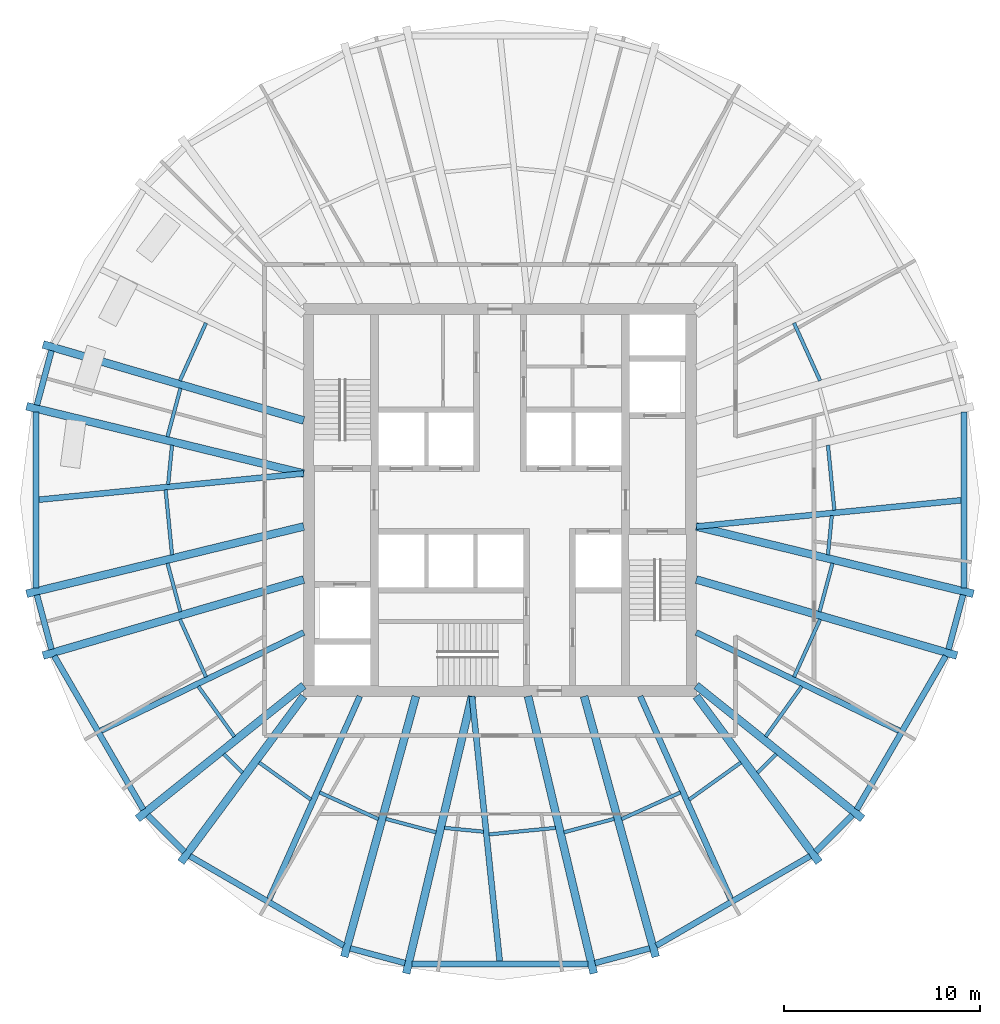
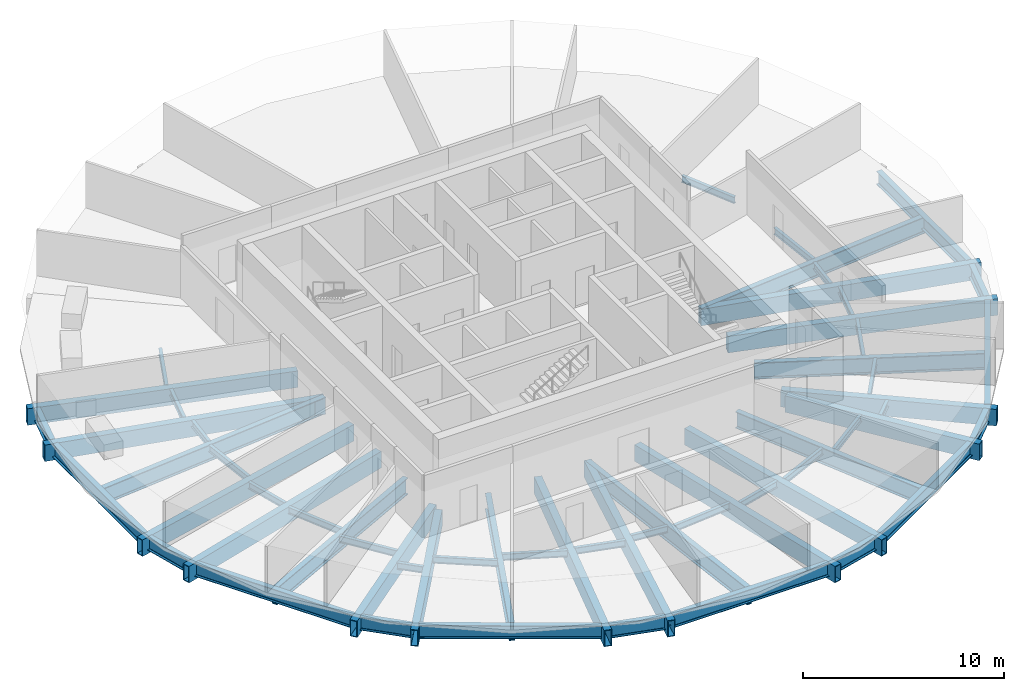
# One storey, part 1 of 7: 58 beams.
"""IFC4 building model written with IfcOpenShell, lengths in metres."""

from ifc_helpers import new_model, si_unit, direction, frame, origin, origin_2d, place, context, subcontext, project, spatial, hollow_rectangle, i_section, extrude, material, material_profile, profile_set, type_object, element, save


model = new_model("IFC4")

# Units and contexts
model_context = context("Model", 3, precision=1e-05, world=origin(), true_north=direction((0.0, 1.0)))
body_context = subcontext(model_context, "Body", "Model", "MODEL_VIEW")
ifc_project = project(units=[si_unit("LENGTHUNIT", "METRE"), si_unit("AREAUNIT", "SQUARE_METRE"), si_unit("VOLUMEUNIT", "CUBIC_METRE"), si_unit("PLANEANGLEUNIT", "RADIAN"), si_unit("MASSUNIT", "GRAM", prefix="KILO")], contexts=[model_context])

# Site, building, storey
site_placement = place(None, origin())
site = spatial("IfcSite", under=ifc_project, at=site_placement, CompositionType="ELEMENT")
building_placement = place(site_placement, origin())
building = spatial("IfcBuilding", under=site, at=building_placement, Name="Golbaran Civic Tower", CompositionType="ELEMENT")
storey_placement = place(building_placement, frame((0.0, 0.0, 130.0)))
storey = spatial("IfcBuildingStorey", under=building, at=storey_placement, Name="L31", CompositionType="ELEMENT", Elevation=130.0)

# Beams
ifc_material = material(Name="Steel S355", Category="steel")
ifc_material_profile_1 = material_profile(ifc_material, i_section(OverallWidth=0.300048828125, OverallDepth=0.800048828125, WebThickness=0.017578125, FlangeThickness=0.032958984375, FilletRadius=0.030029296875, at=origin_2d()), Name="HEB 800")
ifc_profile_set_1 = profile_set([ifc_material_profile_1], Name="Steel S355")
beam_type_1 = type_object("IfcBeamType", Name="EDGE BEAM HEB 800", PredefinedType="BEAM", material=ifc_profile_set_1)
beam_1_placement = place(storey_placement, frame((-22.84814453125, 7.611572265625, -0.60009765625), z_axis=(-0.258861981472, -0.965914320501, 0.0), x_axis=(0.965914320501, -0.258861981472, 0.0)))
element("IfcBeam", 1, at=beam_1_placement, inside=storey, type_object=beam_type_1, Name="Edge beam 161.26 L31", PredefinedType="BEAM", context=body_context, shape_type="SweptSolid", body=[
    extrude(i_section(OverallWidth=0.300048828125, OverallDepth=0.800048828125, WebThickness=0.017578125, FlangeThickness=0.032958984375, FilletRadius=0.030029296875, at=origin_2d()), origin(), (0.0, 0.0, 1.0), 2.87548828125),
])
beam_2_placement = place(storey_placement, frame((-23.63916015625, 4.474853515625, -0.60009765625), z_axis=(0.0, -1.0, 0.0), x_axis=(1.0, 0.0, 0.0)))
element("IfcBeam", 2, at=beam_2_placement, inside=storey, type_object=beam_type_1, Name="Edge beam 168.74 L31", PredefinedType="BEAM", context=body_context, shape_type="SweptSolid", body=[
    extrude(i_section(OverallWidth=0.300048828125, OverallDepth=0.800048828125, WebThickness=0.017578125, FlangeThickness=0.032958984375, FilletRadius=0.030029296875, at=origin_2d()), origin(), (0.0, 0.0, 1.0), 8.94970703125),
])
beam_3_placement = place(storey_placement, frame((-23.592529296875, -4.833984375, -0.60009765625), z_axis=(0.258861981472, -0.965914320501, 0.0), x_axis=(0.965914320501, 0.258861981472, 0.0)))
element("IfcBeam", 3, at=beam_3_placement, inside=storey, type_object=beam_type_1, Name="Edge beam 191.26 L31", PredefinedType="BEAM", context=body_context, shape_type="SweptSolid", body=[
    extrude(i_section(OverallWidth=0.300048828125, OverallDepth=0.800048828125, WebThickness=0.017578125, FlangeThickness=0.032958984375, FilletRadius=0.030029296875, at=origin_2d()), origin(), (0.0, 0.0, 1.0), 2.87548828125),
])
beam_4_placement = place(storey_placement, frame((-22.70849609375, -7.94580078125, -0.60009765625), z_axis=(0.5017193018, -0.865030486284, 0.0), x_axis=(0.865030486284, 0.5017193018, 0.0)))
element("IfcBeam", 4, at=beam_4_placement, inside=storey, type_object=beam_type_1, Name="Edge beam 198.74 L31", PredefinedType="BEAM", context=body_context, shape_type="SweptSolid", body=[
    extrude(i_section(OverallWidth=0.300048828125, OverallDepth=0.800048828125, WebThickness=0.017578125, FlangeThickness=0.032958984375, FilletRadius=0.030029296875, at=origin_2d()), origin(), (0.0, 0.0, 1.0), 9.043701171875),
])
beam_5_placement = place(storey_placement, frame((-17.951904296875, -16.054443359375, -0.60009765625), z_axis=(0.706505441235, -0.707707610179, 0.0), x_axis=(0.707707610179, 0.706505441235, 0.0)))
element("IfcBeam", 5, at=beam_5_placement, inside=storey, type_object=beam_type_1, Name="Edge beam 221.26 L31", PredefinedType="BEAM", context=body_context, shape_type="SweptSolid", body=[
    extrude(i_section(OverallWidth=0.300048828125, OverallDepth=0.800048828125, WebThickness=0.017578125, FlangeThickness=0.032958984375, FilletRadius=0.030029296875, at=origin_2d()), origin(), (0.0, 0.0, 1.0), 2.64013671875),
])
beam_6_placement = place(storey_placement, frame((-15.801513671875, -18.142822265625, -0.60009765625), z_axis=(0.864400249816, -0.502804343774, 0.0), x_axis=(0.502804343774, 0.864400249816, 0.0)))
element("IfcBeam", 6, at=beam_6_placement, inside=storey, type_object=beam_type_1, Name="Edge beam 228.74 L31", PredefinedType="BEAM", context=body_context, shape_type="SweptSolid", body=[
    extrude(i_section(OverallWidth=0.300048828125, OverallDepth=0.800048828125, WebThickness=0.017578125, FlangeThickness=0.032958984375, FilletRadius=0.030029296875, at=origin_2d()), origin(), (0.0, 0.0, 1.0), 9.068359375),
])
beam_7_placement = place(storey_placement, frame((-7.628173828125, -22.842529296875, -0.60009765625), z_axis=(0.965794305958, -0.259309387759, 0.0), x_axis=(0.259309387759, 0.965794305958, 0.0)))
element("IfcBeam", 7, at=beam_7_placement, inside=storey, type_object=beam_type_1, Name="Edge beam 251.26 L31", PredefinedType="BEAM", context=body_context, shape_type="SweptSolid", body=[
    extrude(i_section(OverallWidth=0.300048828125, OverallDepth=0.800048828125, WebThickness=0.017578125, FlangeThickness=0.032958984375, FilletRadius=0.030029296875, at=origin_2d()), origin(), (0.0, 0.0, 1.0), 2.8876953125),
])
beam_8_placement = place(storey_placement, frame((-4.48046875, -23.63818359375, -0.60009765625), z_axis=(1.0, 0.0, 0.0), x_axis=(0.0, 1.0, 0.0)))
element("IfcBeam", 8, at=beam_8_placement, inside=storey, type_object=beam_type_1, Name="Edge beam 258.74 L31", PredefinedType="BEAM", context=body_context, shape_type="SweptSolid", body=[
    extrude(i_section(OverallWidth=0.300048828125, OverallDepth=0.800048828125, WebThickness=0.017578125, FlangeThickness=0.032958984375, FilletRadius=0.030029296875, at=origin_2d()), origin(), (0.0, 0.0, 1.0), 8.9609375),
])
beam_9_placement = place(storey_placement, frame((4.83935546875, -23.59130859375, -0.60009765625), z_axis=(0.965794305958, 0.259309387759, 0.0), x_axis=(-0.259309387759, 0.965794305958, 0.0)))
element("IfcBeam", 9, at=beam_9_placement, inside=storey, type_object=beam_type_1, Name="Edge beam 281.26 L31", PredefinedType="BEAM", context=body_context, shape_type="SweptSolid", body=[
    extrude(i_section(OverallWidth=0.300048828125, OverallDepth=0.800048828125, WebThickness=0.017578125, FlangeThickness=0.032958984375, FilletRadius=0.030029296875, at=origin_2d()), origin(), (0.0, 0.0, 1.0), 2.8876953125),
])
beam_10_placement = place(storey_placement, frame((7.962890625, -22.702392578125, -0.60009765625), z_axis=(0.864400249816, 0.502804343774, 0.0), x_axis=(-0.502804343774, 0.864400249816, 0.0)))
element("IfcBeam", 10, at=beam_10_placement, inside=storey, type_object=beam_type_1, Name="Edge beam 288.74 L31", PredefinedType="BEAM", context=body_context, shape_type="SweptSolid", body=[
    extrude(i_section(OverallWidth=0.300048828125, OverallDepth=0.800048828125, WebThickness=0.017578125, FlangeThickness=0.032958984375, FilletRadius=0.030029296875, at=origin_2d()), origin(), (0.0, 0.0, 1.0), 9.068359375),
])
beam_11_placement = place(storey_placement, frame((16.086669921875, -17.9228515625, -0.60009765625), z_axis=(0.706505441235, 0.707707610179, 0.0), x_axis=(-0.707707610179, 0.706505441235, 0.0)))
element("IfcBeam", 11, at=beam_11_placement, inside=storey, type_object=beam_type_1, Name="Edge beam 311.26 L31", PredefinedType="BEAM", context=body_context, shape_type="SweptSolid", body=[
    extrude(i_section(OverallWidth=0.300048828125, OverallDepth=0.800048828125, WebThickness=0.017578125, FlangeThickness=0.032958984375, FilletRadius=0.030029296875, at=origin_2d()), origin(), (0.0, 0.0, 1.0), 2.64013671875),
])
beam_12_placement = place(storey_placement, frame((18.171142578125, -15.768798828125, -0.60009765625), z_axis=(0.5017193018, 0.865030486284, 0.0), x_axis=(-0.865030486284, 0.5017193018, 0.0)))
element("IfcBeam", 12, at=beam_12_placement, inside=storey, type_object=beam_type_1, Name="Edge beam 318.74 L31", PredefinedType="BEAM", context=body_context, shape_type="SweptSolid", body=[
    extrude(i_section(OverallWidth=0.300048828125, OverallDepth=0.800048828125, WebThickness=0.017578125, FlangeThickness=0.032958984375, FilletRadius=0.030029296875, at=origin_2d()), origin(), (0.0, 0.0, 1.0), 9.043701171875),
])
beam_13_placement = place(storey_placement, frame((22.84814453125, -7.611572265625, -0.60009765625), z_axis=(0.258861981472, 0.965914320501, 0.0), x_axis=(-0.965914320501, 0.258861981472, 0.0)))
element("IfcBeam", 13, at=beam_13_placement, inside=storey, type_object=beam_type_1, Name="Edge beam 341.26 L31", PredefinedType="BEAM", context=body_context, shape_type="SweptSolid", body=[
    extrude(i_section(OverallWidth=0.300048828125, OverallDepth=0.800048828125, WebThickness=0.017578125, FlangeThickness=0.032958984375, FilletRadius=0.030029296875, at=origin_2d()), origin(), (0.0, 0.0, 1.0), 2.87548828125),
])
beam_14_placement = place(storey_placement, frame((23.63916015625, -4.474853515625, -0.60009765625), z_axis=(0.0, 1.0, 0.0), x_axis=(-1.0, 0.0, 0.0)))
element("IfcBeam", 14, at=beam_14_placement, inside=storey, type_object=beam_type_1, Name="Edge beam 348.74 L31", PredefinedType="BEAM", context=body_context, shape_type="SweptSolid", body=[
    extrude(i_section(OverallWidth=0.300048828125, OverallDepth=0.800048828125, WebThickness=0.017578125, FlangeThickness=0.032958984375, FilletRadius=0.030029296875, at=origin_2d()), origin(), (0.0, 0.0, 1.0), 8.94970703125),
])
ifc_material_profile_2 = material_profile(ifc_material, i_section(OverallWidth=0.179931640625, OverallDepth=0.39990234375, WebThickness=0.008544921875, FlangeThickness=0.013427734375, FilletRadius=0.02099609375, at=origin_2d()), Name="IPE 400")
ifc_profile_set_2 = profile_set([ifc_material_profile_2], Name="Steel S355")
beam_type_2 = type_object("IfcBeamType", Name="FLOOR INFILL BEAM IPE 400", PredefinedType="BEAM", material=ifc_profile_set_2)
beam_15_placement = place(storey_placement, frame((17.03466796875, -0.523193359375, -0.39990234375), z_axis=(-0.098110734783, 0.995175503979, 0.0), x_axis=(-0.995175503979, -0.098110734783, 0.0)))
element("IfcBeam", 15, at=beam_15_placement, inside=storey, type_object=beam_type_2, Name="Infill beam 5.63 L31", PredefinedType="BEAM", context=body_context, shape_type="SweptSolid", body=[
    extrude(i_section(OverallWidth=0.179931640625, OverallDepth=0.39990234375, WebThickness=0.008544921875, FlangeThickness=0.013427734375, FilletRadius=0.02099609375, at=origin_2d()), origin(), (0.0, 0.0, 1.0), 3.33203125),
])
for number, where, z_axis, x_axis, name in (
    (16, (16.308837890625, 6.078369140625, -0.39990234375), (-0.412598840377, 0.910912837169, 0.0), (-0.910912837169, -0.412598840377, 0.0), "Infill beam 24.37 L31"),
    (17, (-14.978515625, 9.015380859375, -0.39990234375), (-0.412598840377, -0.910912837169, 0.0), (0.910912837169, -0.412598840377, 0.0), "Infill beam 155.63 L31"),
):
    element("IfcBeam", number, at=place(storey_placement, frame(where, z_axis=z_axis, x_axis=x_axis)), inside=storey, type_object=beam_type_2, Name=name, PredefinedType="BEAM", context=body_context, shape_type="SweptSolid", body=[
        extrude(i_section(OverallWidth=0.179931640625, OverallDepth=0.39990234375, WebThickness=0.008544921875, FlangeThickness=0.013427734375, FilletRadius=0.02099609375, at=origin_2d()), origin(), (0.0, 0.0, 1.0), 3.224365234375),
    ])
beam_16_placement = place(storey_placement, frame((-16.277099609375, 5.694091796875, -0.39990234375), z_axis=(-0.258825000964, -0.965924230401, 0.0), x_axis=(0.965924230401, -0.258825000964, 0.0)))
element("IfcBeam", 18, at=beam_16_placement, inside=storey, type_object=beam_type_2, Name="Infill beam 165.00 L31", PredefinedType="BEAM", context=body_context, shape_type="SweptSolid", body=[
    extrude(i_section(OverallWidth=0.179931640625, OverallDepth=0.39990234375, WebThickness=0.008544921875, FlangeThickness=0.013427734375, FilletRadius=0.02099609375, at=origin_2d()), origin(), (0.0, 0.0, 1.0), 2.56201171875),
])
beam_17_placement = place(storey_placement, frame((-16.707763671875, 2.792724609375, -0.39990234375), z_axis=(-0.098129431177, -0.995173660592, 0.0), x_axis=(0.995173660592, -0.098129431177, 0.0)))
element("IfcBeam", 19, at=beam_17_placement, inside=storey, type_object=beam_type_2, Name="Infill beam 174.37 L31", PredefinedType="BEAM", context=body_context, shape_type="SweptSolid", body=[
    extrude(i_section(OverallWidth=0.179931640625, OverallDepth=0.39990234375, WebThickness=0.008544921875, FlangeThickness=0.013427734375, FilletRadius=0.02099609375, at=origin_2d()), origin(), (0.0, 0.0, 1.0), 2.00537109375),
])
beam_18_placement = place(storey_placement, frame((-17.03466796875, 0.523193359375, -0.39990234375), z_axis=(0.098110734783, -0.995175503979, 0.0), x_axis=(0.995175503979, 0.098110734783, 0.0)))
element("IfcBeam", 20, at=beam_18_placement, inside=storey, type_object=beam_type_2, Name="Infill beam 185.63 L31", PredefinedType="BEAM", context=body_context, shape_type="SweptSolid", body=[
    extrude(i_section(OverallWidth=0.179931640625, OverallDepth=0.39990234375, WebThickness=0.008544921875, FlangeThickness=0.013427734375, FilletRadius=0.02099609375, at=origin_2d()), origin(), (0.0, 0.0, 1.0), 3.33203125),
])
beam_19_placement = place(storey_placement, frame((-16.940185546875, -3.219482421875, -0.39990234375), z_axis=(0.258825000964, -0.965924230401, 0.0), x_axis=(0.965924230401, 0.258825000964, 0.0)))
element("IfcBeam", 21, at=beam_19_placement, inside=storey, type_object=beam_type_2, Name="Infill beam 195.00 L31", PredefinedType="BEAM", context=body_context, shape_type="SweptSolid", body=[
    extrude(i_section(OverallWidth=0.179931640625, OverallDepth=0.39990234375, WebThickness=0.008544921875, FlangeThickness=0.013427734375, FilletRadius=0.02099609375, at=origin_2d()), origin(), (0.0, 0.0, 1.0), 2.56201171875),
])
beam_20_placement = place(storey_placement, frame((-16.308837890625, -6.078369140625, -0.39990234375), z_axis=(0.412598840377, -0.910912837169, 0.0), x_axis=(0.910912837169, 0.412598840377, 0.0)))
element("IfcBeam", 22, at=beam_20_placement, inside=storey, type_object=beam_type_2, Name="Infill beam 204.37 L31", PredefinedType="BEAM", context=body_context, shape_type="SweptSolid", body=[
    extrude(i_section(OverallWidth=0.179931640625, OverallDepth=0.39990234375, WebThickness=0.008544921875, FlangeThickness=0.013427734375, FilletRadius=0.02099609375, at=origin_2d()), origin(), (0.0, 0.0, 1.0), 3.224365234375),
])
beam_21_placement = place(storey_placement, frame((-15.36865234375, -9.492919921875, -0.39990234375), z_axis=(0.582528332799, -0.812810397009, 0.0), x_axis=(0.812810397009, 0.582528332799, 0.0)))
element("IfcBeam", 23, at=beam_21_placement, inside=storey, type_object=beam_type_2, Name="Infill beam 215.63 L31", PredefinedType="BEAM", context=body_context, shape_type="SweptSolid", body=[
    extrude(i_section(OverallWidth=0.179931640625, OverallDepth=0.39990234375, WebThickness=0.008544921875, FlangeThickness=0.013427734375, FilletRadius=0.02099609375, at=origin_2d()), origin(), (0.0, 0.0, 1.0), 3.148681640625),
])
beam_22_placement = place(storey_placement, frame((-14.06494140625, -12.93896484375, -0.39990234375), z_axis=(0.707016640735, -0.707196910149, 0.0), x_axis=(0.707196910149, 0.707016640735, 0.0)))
element("IfcBeam", 24, at=beam_22_placement, inside=storey, type_object=beam_type_2, Name="Infill beam 225.00 L31", PredefinedType="BEAM", context=body_context, shape_type="SweptSolid", body=[
    extrude(i_section(OverallWidth=0.179931640625, OverallDepth=0.39990234375, WebThickness=0.008544921875, FlangeThickness=0.013427734375, FilletRadius=0.02099609375, at=origin_2d()), origin(), (0.0, 0.0, 1.0), 1.354248046875),
])
beam_23_placement = place(storey_placement, frame((-12.272216796875, -13.373291015625, -0.39990234375), z_axis=(0.812771400796, -0.582582740946, 0.0), x_axis=(0.582582740946, 0.812771400796, 0.0)))
element("IfcBeam", 25, at=beam_23_placement, inside=storey, type_object=beam_type_2, Name="Infill beam 234.37 L31", PredefinedType="BEAM", context=body_context, shape_type="SweptSolid", body=[
    extrude(i_section(OverallWidth=0.179931640625, OverallDepth=0.39990234375, WebThickness=0.008544921875, FlangeThickness=0.013427734375, FilletRadius=0.02099609375, at=origin_2d()), origin(), (0.0, 0.0, 1.0), 3.244384765625),
])
beam_24_placement = place(storey_placement, frame((-9.188232421875, -14.900390625, -0.39990234375), z_axis=(0.910914708444, -0.412594709056, 0.0), x_axis=(0.412594709056, 0.910914708444, 0.0)))
element("IfcBeam", 26, at=beam_24_placement, inside=storey, type_object=beam_type_2, Name="Infill beam 245.63 L31", PredefinedType="BEAM", context=body_context, shape_type="SweptSolid", body=[
    extrude(i_section(OverallWidth=0.179931640625, OverallDepth=0.39990234375, WebThickness=0.008544921875, FlangeThickness=0.013427734375, FilletRadius=0.02099609375, at=origin_2d()), origin(), (0.0, 0.0, 1.0), 3.289306640625),
])
beam_25_placement = place(storey_placement, frame((-5.81494140625, -16.24462890625, -0.39990234375), z_axis=(0.965924994823, -0.258822148155, 0.0), x_axis=(0.258822148155, 0.965924994823, 0.0)))
element("IfcBeam", 27, at=beam_25_placement, inside=storey, type_object=beam_type_2, Name="Infill beam 255.00 L31", PredefinedType="BEAM", context=body_context, shape_type="SweptSolid", body=[
    extrude(i_section(OverallWidth=0.179931640625, OverallDepth=0.39990234375, WebThickness=0.008544921875, FlangeThickness=0.013427734375, FilletRadius=0.02099609375, at=origin_2d()), origin(), (0.0, 0.0, 1.0), 2.646728515625),
])
beam_26_placement = place(storey_placement, frame((-2.83447265625, -16.703125, -0.39990234375), z_axis=(0.995173494975, -0.098131110758, 0.0), x_axis=(0.098131110758, 0.995173494975, 0.0)))
element("IfcBeam", 28, at=beam_26_placement, inside=storey, type_object=beam_type_2, Name="Infill beam 264.37 L31", PredefinedType="BEAM", context=body_context, shape_type="SweptSolid", body=[
    extrude(i_section(OverallWidth=0.179931640625, OverallDepth=0.39990234375, WebThickness=0.008544921875, FlangeThickness=0.013427734375, FilletRadius=0.02099609375, at=origin_2d()), origin(), (0.0, 0.0, 1.0), 2.0078125),
])
beam_27_placement = place(storey_placement, frame((-0.560546875, -17.037841796875, -0.39990234375), z_axis=(0.995175098578, 0.09811484684, 0.0), x_axis=(-0.09811484684, 0.995175098578, 0.0)))
element("IfcBeam", 29, at=beam_27_placement, inside=storey, type_object=beam_type_2, Name="Infill beam 275.63 L31", PredefinedType="BEAM", context=body_context, shape_type="SweptSolid", body=[
    extrude(i_section(OverallWidth=0.179931640625, OverallDepth=0.39990234375, WebThickness=0.008544921875, FlangeThickness=0.013427734375, FilletRadius=0.02099609375, at=origin_2d()), origin(), (0.0, 0.0, 1.0), 3.411376953125),
])
beam_28_placement = place(storey_placement, frame((3.25830078125, -16.9296875, -0.39990234375), z_axis=(0.965924994823, 0.258822148155, 0.0), x_axis=(-0.258822148155, 0.965924994823, 0.0)))
element("IfcBeam", 30, at=beam_28_placement, inside=storey, type_object=beam_type_2, Name="Infill beam 285.00 L31", PredefinedType="BEAM", context=body_context, shape_type="SweptSolid", body=[
    extrude(i_section(OverallWidth=0.179931640625, OverallDepth=0.39990234375, WebThickness=0.008544921875, FlangeThickness=0.013427734375, FilletRadius=0.02099609375, at=origin_2d()), origin(), (0.0, 0.0, 1.0), 2.646728515625),
])
beam_29_placement = place(storey_placement, frame((6.19189453125, -16.257568359375, -0.39990234375), z_axis=(0.910914708444, 0.412594709056, 0.0), x_axis=(-0.412594709056, 0.910914708444, 0.0)))
element("IfcBeam", 31, at=beam_29_placement, inside=storey, type_object=beam_type_2, Name="Infill beam 294.37 L31", PredefinedType="BEAM", context=body_context, shape_type="SweptSolid", body=[
    extrude(i_section(OverallWidth=0.179931640625, OverallDepth=0.39990234375, WebThickness=0.008544921875, FlangeThickness=0.013427734375, FilletRadius=0.02099609375, at=origin_2d()), origin(), (0.0, 0.0, 1.0), 3.289306640625),
])
beam_30_placement = place(storey_placement, frame((9.63525390625, -15.263427734375, -0.39990234375), z_axis=(0.812771400796, 0.582582740946, 0.0), x_axis=(-0.582582740946, 0.812771400796, 0.0)))
element("IfcBeam", 32, at=beam_30_placement, inside=storey, type_object=beam_type_2, Name="Infill beam 305.63 L31", PredefinedType="BEAM", context=body_context, shape_type="SweptSolid", body=[
    extrude(i_section(OverallWidth=0.179931640625, OverallDepth=0.39990234375, WebThickness=0.008544921875, FlangeThickness=0.013427734375, FilletRadius=0.02099609375, at=origin_2d()), origin(), (0.0, 0.0, 1.0), 3.244384765625),
])
beam_31_placement = place(storey_placement, frame((13.107421875, -13.896728515625, -0.39990234375), z_axis=(0.707016640735, 0.707196910149, 0.0), x_axis=(-0.707196910149, 0.707016640735, 0.0)))
element("IfcBeam", 33, at=beam_31_placement, inside=storey, type_object=beam_type_2, Name="Infill beam 315.00 L31", PredefinedType="BEAM", context=body_context, shape_type="SweptSolid", body=[
    extrude(i_section(OverallWidth=0.179931640625, OverallDepth=0.39990234375, WebThickness=0.008544921875, FlangeThickness=0.013427734375, FilletRadius=0.02099609375, at=origin_2d()), origin(), (0.0, 0.0, 1.0), 1.354248046875),
])
beam_32_placement = place(storey_placement, frame((13.534423828125, -12.05224609375, -0.39990234375), z_axis=(0.582528332799, 0.812810397009, 0.0), x_axis=(-0.812810397009, 0.582528332799, 0.0)))
element("IfcBeam", 34, at=beam_32_placement, inside=storey, type_object=beam_type_2, Name="Infill beam 324.37 L31", PredefinedType="BEAM", context=body_context, shape_type="SweptSolid", body=[
    extrude(i_section(OverallWidth=0.179931640625, OverallDepth=0.39990234375, WebThickness=0.008544921875, FlangeThickness=0.013427734375, FilletRadius=0.02099609375, at=origin_2d()), origin(), (0.0, 0.0, 1.0), 3.148681640625),
])
beam_33_placement = place(storey_placement, frame((14.978515625, -9.015380859375, -0.39990234375), z_axis=(0.412598840377, 0.910912837169, 0.0), x_axis=(-0.910912837169, 0.412598840377, 0.0)))
element("IfcBeam", 35, at=beam_33_placement, inside=storey, type_object=beam_type_2, Name="Infill beam 335.63 L31", PredefinedType="BEAM", context=body_context, shape_type="SweptSolid", body=[
    extrude(i_section(OverallWidth=0.179931640625, OverallDepth=0.39990234375, WebThickness=0.008544921875, FlangeThickness=0.013427734375, FilletRadius=0.02099609375, at=origin_2d()), origin(), (0.0, 0.0, 1.0), 3.224365234375),
])
beam_34_placement = place(storey_placement, frame((16.277099609375, -5.694091796875, -0.39990234375), z_axis=(0.258825000964, 0.965924230401, 0.0), x_axis=(-0.965924230401, 0.258825000964, 0.0)))
element("IfcBeam", 36, at=beam_34_placement, inside=storey, type_object=beam_type_2, Name="Infill beam 345.00 L31", PredefinedType="BEAM", context=body_context, shape_type="SweptSolid", body=[
    extrude(i_section(OverallWidth=0.179931640625, OverallDepth=0.39990234375, WebThickness=0.008544921875, FlangeThickness=0.013427734375, FilletRadius=0.02099609375, at=origin_2d()), origin(), (0.0, 0.0, 1.0), 2.56201171875),
])
beam_35_placement = place(storey_placement, frame((16.707763671875, -2.792724609375, -0.39990234375), z_axis=(0.098129431177, 0.995173660592, 0.0), x_axis=(-0.995173660592, 0.098129431177, 0.0)))
element("IfcBeam", 37, at=beam_35_placement, inside=storey, type_object=beam_type_2, Name="Infill beam 354.37 L31", PredefinedType="BEAM", context=body_context, shape_type="SweptSolid", body=[
    extrude(i_section(OverallWidth=0.179931640625, OverallDepth=0.39990234375, WebThickness=0.008544921875, FlangeThickness=0.013427734375, FilletRadius=0.02099609375, at=origin_2d()), origin(), (0.0, 0.0, 1.0), 2.00537109375),
])
ifc_material_profile_3 = material_profile(ifc_material, hollow_rectangle(XDim=0.39990234375, YDim=1.0, WallThickness=0.0400390625, at=origin_2d()), Name="BOX 1000x400x40")
ifc_profile_set_3 = profile_set([ifc_material_profile_3], Name="Steel S355")
beam_type_3 = type_object("IfcBeamType", Name="RADIAL FLOOR BEAM BOX 1000x400x40", PredefinedType="BEAM", material=ifc_profile_set_3)
beam_36_placement = place(storey_placement, frame((-10.0, 4.050048828125, -0.7099609375), z_axis=(-0.959965986328, 0.280116591965, 0.0), x_axis=(-0.280116591965, -0.959965986328, 0.0)))
element("IfcBeam", 38, at=beam_36_placement, inside=storey, type_object=beam_type_3, Name="Radial beam 161.26 L31", PredefinedType="BEAM", context=body_context, shape_type="SweptSolid", body=[
    extrude(hollow_rectangle(XDim=0.39990234375, YDim=1.0, WallThickness=0.0400390625, at=origin_2d()), origin(), (0.0, 0.0, 1.0), 13.830078125),
])
for number, where, z_axis, x_axis, name in (
    (39, (-10.0, 1.35009765625, -0.7099609375), (-0.971793766222, 0.235832304681, 0.0), (-0.235832304681, -0.971793766222, 0.0), "Radial beam 168.74 L31"),
    (40, (-10.0, -1.35009765625, -0.7099609375), (-0.971793766222, -0.235832304681, 0.0), (0.235832304681, -0.971793766222, 0.0), "Radial beam 191.26 L31"),
):
    element("IfcBeam", number, at=place(storey_placement, frame(where, z_axis=z_axis, x_axis=x_axis)), inside=storey, type_object=beam_type_3, Name=name, PredefinedType="BEAM", context=body_context, shape_type="SweptSolid", body=[
        extrude(hollow_rectangle(XDim=0.39990234375, YDim=1.0, WallThickness=0.0400390625, at=origin_2d()), origin(), (0.0, 0.0, 1.0), 14.529541015625),
    ])
beam_37_placement = place(storey_placement, frame((-10.0, -4.050048828125, -0.7099609375), z_axis=(-0.959965986328, -0.280116591965, 0.0), x_axis=(0.280116591965, -0.959965986328, 0.0)))
element("IfcBeam", 41, at=beam_37_placement, inside=storey, type_object=beam_type_3, Name="Radial beam 198.74 L31", PredefinedType="BEAM", context=body_context, shape_type="SweptSolid", body=[
    extrude(hollow_rectangle(XDim=0.39990234375, YDim=1.0, WallThickness=0.0400390625, at=origin_2d()), origin(), (0.0, 0.0, 1.0), 13.830078125),
])
beam_38_placement = place(storey_placement, frame((-10.0, -9.449951171875, -0.7099609375), z_axis=(-0.780286857338, -0.625421793884, 0.0), x_axis=(0.625421793884, -0.780286857338, 0.0)))
element("IfcBeam", 42, at=beam_38_placement, inside=storey, type_object=beam_type_3, Name="Radial beam 221.26 L31", PredefinedType="BEAM", context=body_context, shape_type="SweptSolid", body=[
    extrude(hollow_rectangle(XDim=0.39990234375, YDim=1.0, WallThickness=0.0400390625, at=origin_2d()), origin(), (0.0, 0.0, 1.0), 10.8525390625),
])
beam_39_placement = place(storey_placement, frame((-10.0, -10.0, -0.7099609375), z_axis=(-0.594828304916, -0.803852777361, 0.0), x_axis=(0.803852777361, -0.594828304916, 0.0)))
element("IfcBeam", 43, at=beam_39_placement, inside=storey, type_object=beam_type_3, Name="Radial beam 228.74 L31", PredefinedType="BEAM", context=body_context, shape_type="SweptSolid", body=[
    extrude(hollow_rectangle(XDim=0.39990234375, YDim=1.0, WallThickness=0.0400390625, at=origin_2d()), origin(), (0.0, 0.0, 1.0), 10.5166015625),
])
beam_40_placement = place(storey_placement, frame((-4.28564453125, -10.0, -0.7099609375), z_axis=(-0.264968907776, -0.964256956372, 0.0), x_axis=(0.964256956372, -0.264968907776, 0.0)))
element("IfcBeam", 44, at=beam_40_placement, inside=storey, type_object=beam_type_3, Name="Radial beam 251.26 L31", PredefinedType="BEAM", context=body_context, shape_type="SweptSolid", body=[
    extrude(hollow_rectangle(XDim=0.39990234375, YDim=1.0, WallThickness=0.0400390625, at=origin_2d()), origin(), (0.0, 0.0, 1.0), 13.7646484375),
])
for number, where, z_axis, x_axis, name in (
    (45, (-1.428466796875, -10.0, -0.7099609375), (-0.230939650145, -0.972968076553, 0.0), (0.972968076553, -0.230939650145, 0.0), "Radial beam 258.74 L31"),
    (46, (1.428466796875, -10.0, -0.7099609375), (0.230939650145, -0.972968076553, 0.0), (0.972968076553, 0.230939650145, 0.0), "Radial beam 281.26 L31"),
):
    element("IfcBeam", number, at=place(storey_placement, frame(where, z_axis=z_axis, x_axis=x_axis)), inside=storey, type_object=beam_type_3, Name=name, PredefinedType="BEAM", context=body_context, shape_type="SweptSolid", body=[
        extrude(hollow_rectangle(XDim=0.39990234375, YDim=1.0, WallThickness=0.0400390625, at=origin_2d()), origin(), (0.0, 0.0, 1.0), 14.51171875),
    ])
beam_41_placement = place(storey_placement, frame((4.28564453125, -10.0, -0.7099609375), z_axis=(0.264968907776, -0.964256956372, 0.0), x_axis=(0.964256956372, 0.264968907776, 0.0)))
element("IfcBeam", 47, at=beam_41_placement, inside=storey, type_object=beam_type_3, Name="Radial beam 288.74 L31", PredefinedType="BEAM", context=body_context, shape_type="SweptSolid", body=[
    extrude(hollow_rectangle(XDim=0.39990234375, YDim=1.0, WallThickness=0.0400390625, at=origin_2d()), origin(), (0.0, 0.0, 1.0), 13.7646484375),
])
beam_42_placement = place(storey_placement, frame((10.0, -10.0, -0.7099609375), z_axis=(0.594828304916, -0.803852777361, 0.0), x_axis=(0.803852777361, 0.594828304916, 0.0)))
element("IfcBeam", 48, at=beam_42_placement, inside=storey, type_object=beam_type_3, Name="Radial beam 311.26 L31", PredefinedType="BEAM", context=body_context, shape_type="SweptSolid", body=[
    extrude(hollow_rectangle(XDim=0.39990234375, YDim=1.0, WallThickness=0.0400390625, at=origin_2d()), origin(), (0.0, 0.0, 1.0), 10.5166015625),
])
beam_43_placement = place(storey_placement, frame((10.0, -9.449951171875, -0.7099609375), z_axis=(0.780286857338, -0.625421793884, 0.0), x_axis=(0.625421793884, 0.780286857338, 0.0)))
element("IfcBeam", 49, at=beam_43_placement, inside=storey, type_object=beam_type_3, Name="Radial beam 318.74 L31", PredefinedType="BEAM", context=body_context, shape_type="SweptSolid", body=[
    extrude(hollow_rectangle(XDim=0.39990234375, YDim=1.0, WallThickness=0.0400390625, at=origin_2d()), origin(), (0.0, 0.0, 1.0), 10.8525390625),
])
beam_44_placement = place(storey_placement, frame((10.0, -4.050048828125, -0.7099609375), z_axis=(0.959965986328, -0.280116591965, 0.0), x_axis=(0.280116591965, 0.959965986328, 0.0)))
element("IfcBeam", 50, at=beam_44_placement, inside=storey, type_object=beam_type_3, Name="Radial beam 341.26 L31", PredefinedType="BEAM", context=body_context, shape_type="SweptSolid", body=[
    extrude(hollow_rectangle(XDim=0.39990234375, YDim=1.0, WallThickness=0.0400390625, at=origin_2d()), origin(), (0.0, 0.0, 1.0), 13.830078125),
])
beam_45_placement = place(storey_placement, frame((10.0, -1.35009765625, -0.7099609375), z_axis=(0.971793766222, -0.235832304681, 0.0), x_axis=(0.235832304681, 0.971793766222, 0.0)))
element("IfcBeam", 51, at=beam_45_placement, inside=storey, type_object=beam_type_3, Name="Radial beam 348.74 L31", PredefinedType="BEAM", context=body_context, shape_type="SweptSolid", body=[
    extrude(hollow_rectangle(XDim=0.39990234375, YDim=1.0, WallThickness=0.0400390625, at=origin_2d()), origin(), (0.0, 0.0, 1.0), 14.529541015625),
])
ifc_material_profile_4 = material_profile(ifc_material, i_section(OverallWidth=0.300048828125, OverallDepth=1.0, WebThickness=0.01904296875, FlangeThickness=0.035888671875, FilletRadius=0.030029296875, at=origin_2d()), Name="HEB 1000")
ifc_profile_set_4 = profile_set([ifc_material_profile_4], Name="Steel S355")
beam_type_4 = type_object("IfcBeamType", Name="SECONDARY FLOOR BEAM HEB 1000", PredefinedType="BEAM", material=ifc_profile_set_4)
for number, where, z_axis, x_axis, name in (
    (52, (10.0, -1.35009765625, -0.7099609375), (0.995136512385, 0.098505440044, 0.0), (-0.098505440044, 0.995136512385, 0.0), "Secondary beam 0.00 L31"),
    (53, (-10.0, 1.35009765625, -0.7099609375), (-0.995136512385, -0.098505440044, 0.0), (0.098505440044, -0.995136512385, 0.0), "Secondary beam 180.00 L31"),
):
    element("IfcBeam", number, at=place(storey_placement, frame(where, z_axis=z_axis, x_axis=x_axis)), inside=storey, type_object=beam_type_4, Name=name, PredefinedType="BEAM", context=body_context, shape_type="SweptSolid", body=[
        extrude(i_section(OverallWidth=0.300048828125, OverallDepth=1.0, WebThickness=0.01904296875, FlangeThickness=0.035888671875, FilletRadius=0.030029296875, at=origin_2d()), origin(), (0.0, 0.0, 1.0), 13.705810546875),
    ])
beam_46_placement = place(storey_placement, frame((-10.0, -6.75, -0.7099609375), z_axis=(-0.900098952102, -0.43568552469, 0.0), x_axis=(0.43568552469, -0.900098952102, 0.0)))
element("IfcBeam", 54, at=beam_46_placement, inside=storey, type_object=beam_type_4, Name="Secondary beam 210.00 L31", PredefinedType="BEAM", context=body_context, shape_type="SweptSolid", body=[
    extrude(i_section(OverallWidth=0.300048828125, OverallDepth=1.0, WebThickness=0.01904296875, FlangeThickness=0.035888671875, FilletRadius=0.030029296875, at=origin_2d()), origin(), (0.0, 0.0, 1.0), 11.625732421875),
])
beam_47_placement = place(storey_placement, frame((-7.142822265625, -10.0, -0.7099609375), z_axis=(-0.407681932174, -0.913124001535, 0.0), x_axis=(0.913124001535, -0.407681932174, 0.0)))
element("IfcBeam", 55, at=beam_47_placement, inside=storey, type_object=beam_type_4, Name="Secondary beam 240.00 L31", PredefinedType="BEAM", context=body_context, shape_type="SweptSolid", body=[
    extrude(i_section(OverallWidth=0.300048828125, OverallDepth=1.0, WebThickness=0.01904296875, FlangeThickness=0.035888671875, FilletRadius=0.030029296875, at=origin_2d()), origin(), (0.0, 0.0, 1.0), 11.457763671875),
])
beam_48_placement = place(storey_placement, frame((-1.428466796875, -10.0, -0.7099609375), z_axis=(0.104170409562, -0.994559463165, 0.0), x_axis=(0.994559463165, 0.104170409562, 0.0)))
element("IfcBeam", 56, at=beam_48_placement, inside=storey, type_object=beam_type_4, Name="Secondary beam 270.00 L31", PredefinedType="BEAM", context=body_context, shape_type="SweptSolid", body=[
    extrude(i_section(OverallWidth=0.300048828125, OverallDepth=1.0, WebThickness=0.01904296875, FlangeThickness=0.035888671875, FilletRadius=0.030029296875, at=origin_2d()), origin(), (0.0, 0.0, 1.0), 13.712890625),
])
beam_49_placement = place(storey_placement, frame((7.142822265625, -10.0, -0.7099609375), z_axis=(0.407681932174, -0.913124001535, 0.0), x_axis=(0.913124001535, 0.407681932174, 0.0)))
element("IfcBeam", 57, at=beam_49_placement, inside=storey, type_object=beam_type_4, Name="Secondary beam 300.00 L31", PredefinedType="BEAM", context=body_context, shape_type="SweptSolid", body=[
    extrude(i_section(OverallWidth=0.300048828125, OverallDepth=1.0, WebThickness=0.01904296875, FlangeThickness=0.035888671875, FilletRadius=0.030029296875, at=origin_2d()), origin(), (0.0, 0.0, 1.0), 11.457763671875),
])
beam_50_placement = place(storey_placement, frame((10.0, -6.75, -0.7099609375), z_axis=(0.900098952102, -0.43568552469, 0.0), x_axis=(0.43568552469, 0.900098952102, 0.0)))
element("IfcBeam", 58, at=beam_50_placement, inside=storey, type_object=beam_type_4, Name="Secondary beam 330.00 L31", PredefinedType="BEAM", context=body_context, shape_type="SweptSolid", body=[
    extrude(i_section(OverallWidth=0.300048828125, OverallDepth=1.0, WebThickness=0.01904296875, FlangeThickness=0.035888671875, FilletRadius=0.030029296875, at=origin_2d()), origin(), (0.0, 0.0, 1.0), 11.625732421875),
])

save(model, "model.ifc")
